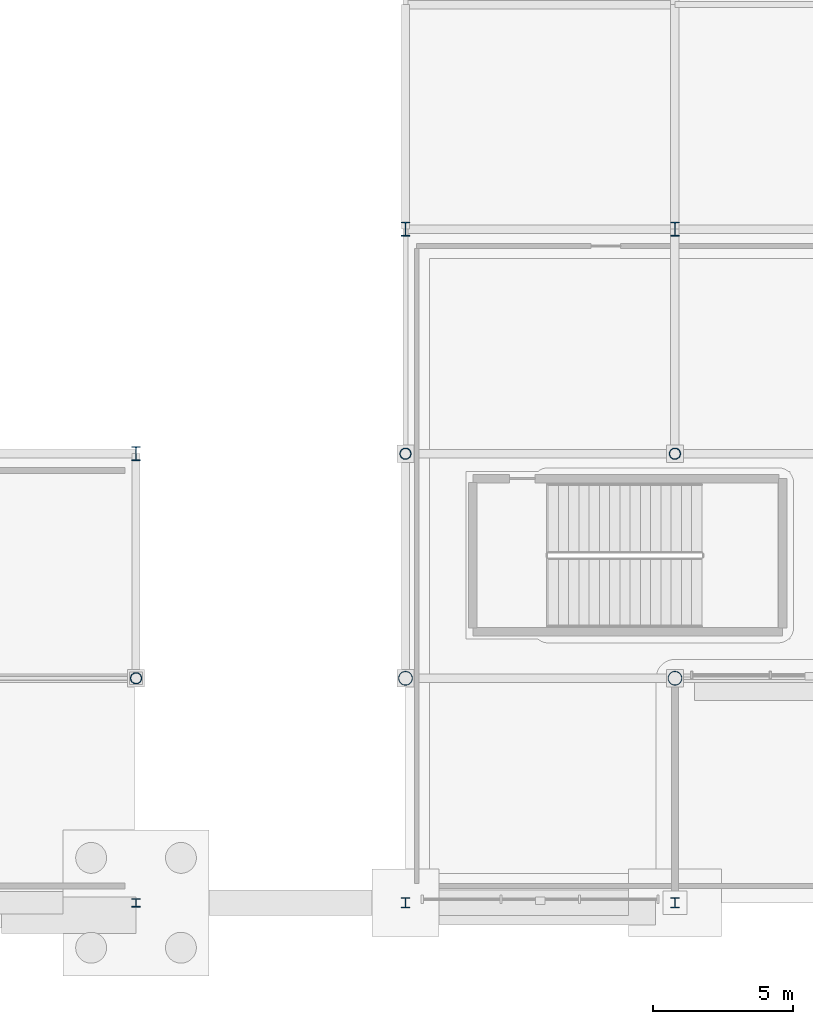
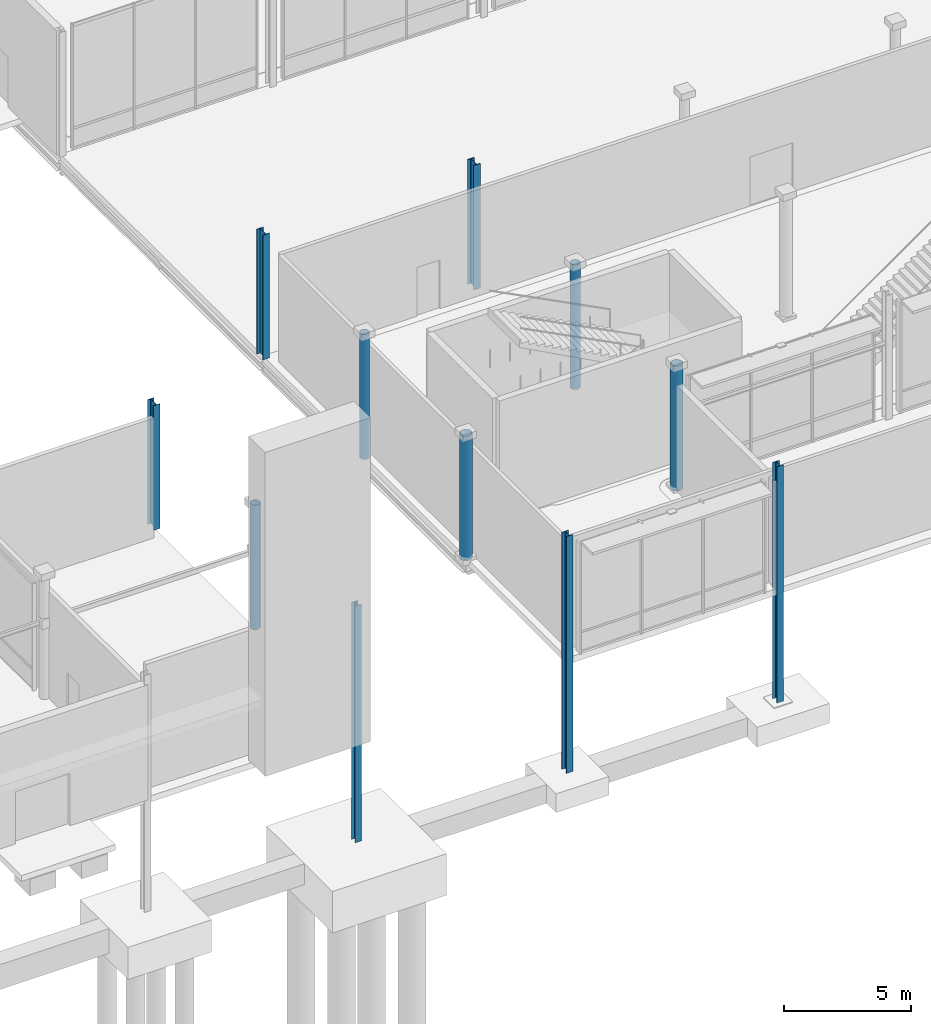
# One storey, part 17 of 124: 11 columns.
"""IFC4 building model written with IfcOpenShell, lengths in metres."""

from ifc_helpers import new_model, si_unit, direction, frame, origin, origin_2d, place, context, subcontext, project, spatial, hollow_circle, i_section, extrude, material, material_profile, profile_set, type_object, element, save


model = new_model("IFC4")

# Units and contexts
model_context = context("Model", 3, precision=1e-05, world=origin(), true_north=direction((0.0, 1.0)))
body_context = subcontext(model_context, "Body", "Model", "MODEL_VIEW")
ifc_project = project(units=[si_unit("LENGTHUNIT", "METRE"), si_unit("AREAUNIT", "SQUARE_METRE"), si_unit("VOLUMEUNIT", "CUBIC_METRE"), si_unit("PLANEANGLEUNIT", "RADIAN"), si_unit("MASSUNIT", "GRAM", prefix="KILO")], contexts=[model_context])

# Site, building, storey
site_placement = place(None, origin())
site = spatial("IfcSite", under=ifc_project, at=site_placement, CompositionType="ELEMENT")
building_placement = place(site_placement, origin())
building = spatial("IfcBuilding", under=site, at=building_placement, Name="Danafjord Basin Convention Centre", CompositionType="ELEMENT")
storey_placement = place(building_placement, origin())
storey = spatial("IfcBuildingStorey", under=building, at=storey_placement, Name="L00", CompositionType="ELEMENT", Elevation=0.0)

# Columns
ifc_material = material(Name="Steel S355", Category="steel")
ifc_material_profile_1 = material_profile(ifc_material, hollow_circle(Radius=0.203125, WallThickness=0.02001953125, at=origin_2d()), Name="CHS 406.4x20.0")
ifc_profile_set_1 = profile_set([ifc_material_profile_1], Name="Steel S355")
column_type_1 = type_object("IfcColumnType", Name="COL-C-CHS406", PredefinedType="COLUMN", material=ifc_profile_set_1)
for number, where, z_axis, x_axis, name in (
    (1, (134.39990234375, 8.0, 0.0), (0.0, 0.0, 1.0), (1.0, 0.0, 0.0), "L00 column C-CHS406 at (134.4, 8.0)"),
    (2, (144.0, 16.0, 0.0), (0.0, 0.0, 1.0), (1.0, 0.0, 0.0), "L00 column C-CHS406 at (144.0, 16.0)"),
    (3, (153.60009765625, 16.0, 0.0), (0.0, 0.0, 1.0), (1.0, 0.0, 0.0), "L00 column C-CHS406 at (153.6, 16.0)"),
):
    element("IfcColumn", number, at=place(storey_placement, frame(where, z_axis=z_axis, x_axis=x_axis)), inside=storey, type_object=column_type_1, Name=name, PredefinedType="COLUMN", context=body_context, shape_type="SweptSolid", body=[
        extrude(hollow_circle(Radius=0.203125, WallThickness=0.02001953125, at=origin_2d()), origin(), (0.0, 0.0, 1.0), 6.0),
    ])
ifc_material_profile_2 = material_profile(ifc_material, hollow_circle(Radius=0.25390625, WallThickness=0.02490234375, at=origin_2d()), Name="CHS 508.0x25.0")
ifc_profile_set_2 = profile_set([ifc_material_profile_2], Name="Steel S355")
column_type_2 = type_object("IfcColumnType", Name="COL-C-CHS508", PredefinedType="COLUMN", material=ifc_profile_set_2)
for number, where, z_axis, x_axis, name in (
    (4, (144.0, 8.0, 0.0), (0.0, 0.0, 1.0), (1.0, 0.0, 0.0), "L00 column C-CHS508 at (144.0, 8.0)"),
    (5, (153.60009765625, 8.0, 0.0), (0.0, 0.0, 1.0), (1.0, 0.0, 0.0), "L00 column C-CHS508 at (153.6, 8.0)"),
):
    element("IfcColumn", number, at=place(storey_placement, frame(where, z_axis=z_axis, x_axis=x_axis)), inside=storey, type_object=column_type_2, Name=name, PredefinedType="COLUMN", context=body_context, shape_type="SweptSolid", body=[
        extrude(hollow_circle(Radius=0.25390625, WallThickness=0.02490234375, at=origin_2d()), origin(), (0.0, 0.0, 1.0), 6.0),
    ])
ifc_material_profile_3 = material_profile(ifc_material, i_section(OverallWidth=0.300048828125, OverallDepth=0.300048828125, WebThickness=0.010986328125, FlangeThickness=0.01904296875, FilletRadius=0.027099609375, at=origin_2d()), Name="HEB 300")
ifc_profile_set_3 = profile_set([ifc_material_profile_3], Name="Steel S355")
column_type_3 = type_object("IfcColumnType", Name="COL-C-HEB300", PredefinedType="COLUMN", material=ifc_profile_set_3)
column_placement = place(storey_placement, frame((134.39990234375, 0.0, -5.39990234375), z_axis=(0.0, 0.0, 1.0), x_axis=(1.0, 0.0, 0.0)))
element("IfcColumn", 6, at=column_placement, inside=storey, type_object=column_type_3, Name="L00 column C-HEB300 at (134.4, 0.0)", PredefinedType="COLUMN", context=body_context, shape_type="SweptSolid", body=[
    extrude(i_section(OverallWidth=0.300048828125, OverallDepth=0.300048828125, WebThickness=0.010986328125, FlangeThickness=0.01904296875, FilletRadius=0.027099609375, at=origin_2d()), origin(), (0.0, 0.0, 1.0), 11.39990234375),
])
ifc_material_profile_4 = material_profile(ifc_material, i_section(OverallWidth=0.300048828125, OverallDepth=0.360107421875, WebThickness=0.012451171875, FlangeThickness=0.0224609375, FilletRadius=0.027099609375, at=origin_2d()), Name="HEB 360")
ifc_profile_set_4 = profile_set([ifc_material_profile_4], Name="Steel S355")
column_type_4 = type_object("IfcColumnType", Name="COL-C-HEB360", PredefinedType="COLUMN", material=ifc_profile_set_4)
for number, where, z_axis, x_axis, name in (
    (7, (144.0, 0.0, -5.39990234375), (0.0, 0.0, 1.0), (1.0, 0.0, 0.0), "L00 column C-HEB360 at (144.0, 0.0)"),
    (8, (153.60009765625, 0.0, -5.39990234375), (0.0, 0.0, 1.0), (1.0, 0.0, 0.0), "L00 column C-HEB360 at (153.6, 0.0)"),
):
    element("IfcColumn", number, at=place(storey_placement, frame(where, z_axis=z_axis, x_axis=x_axis)), inside=storey, type_object=column_type_4, Name=name, PredefinedType="COLUMN", context=body_context, shape_type="SweptSolid", body=[
        extrude(i_section(OverallWidth=0.300048828125, OverallDepth=0.360107421875, WebThickness=0.012451171875, FlangeThickness=0.0224609375, FilletRadius=0.027099609375, at=origin_2d()), origin(), (0.0, 0.0, 1.0), 11.39990234375),
    ])
ifc_material_profile_5 = material_profile(ifc_material, i_section(OverallWidth=0.300048828125, OverallDepth=0.5, WebThickness=0.014404296875, FlangeThickness=0.028076171875, FilletRadius=0.027099609375, at=origin_2d()), Name="HEB 500")
ifc_profile_set_5 = profile_set([ifc_material_profile_5], Name="Steel S355")
column_type_5 = type_object("IfcColumnType", Name="COL-C-HEB500", PredefinedType="COLUMN", material=ifc_profile_set_5)
for number, where, z_axis, x_axis, name in (
    (9, (134.39990234375, 16.0, 0.0), (0.0, 0.0, 1.0), (1.0, 0.0, 0.0), "L00 column C-HEB500 at (134.4, 16.0)"),
    (10, (144.0, 24.0, 0.0), (0.0, 0.0, 1.0), (1.0, 0.0, 0.0), "L00 column C-HEB500 at (144.0, 24.0)"),
    (11, (153.60009765625, 24.0, 0.0), (0.0, 0.0, 1.0), (1.0, 0.0, 0.0), "L00 column C-HEB500 at (153.6, 24.0)"),
):
    element("IfcColumn", number, at=place(storey_placement, frame(where, z_axis=z_axis, x_axis=x_axis)), inside=storey, type_object=column_type_5, Name=name, PredefinedType="COLUMN", context=body_context, shape_type="SweptSolid", body=[
        extrude(i_section(OverallWidth=0.300048828125, OverallDepth=0.5, WebThickness=0.014404296875, FlangeThickness=0.028076171875, FilletRadius=0.027099609375, at=origin_2d()), origin(), (0.0, 0.0, 1.0), 6.0),
    ])

save(model, "model.ifc")
